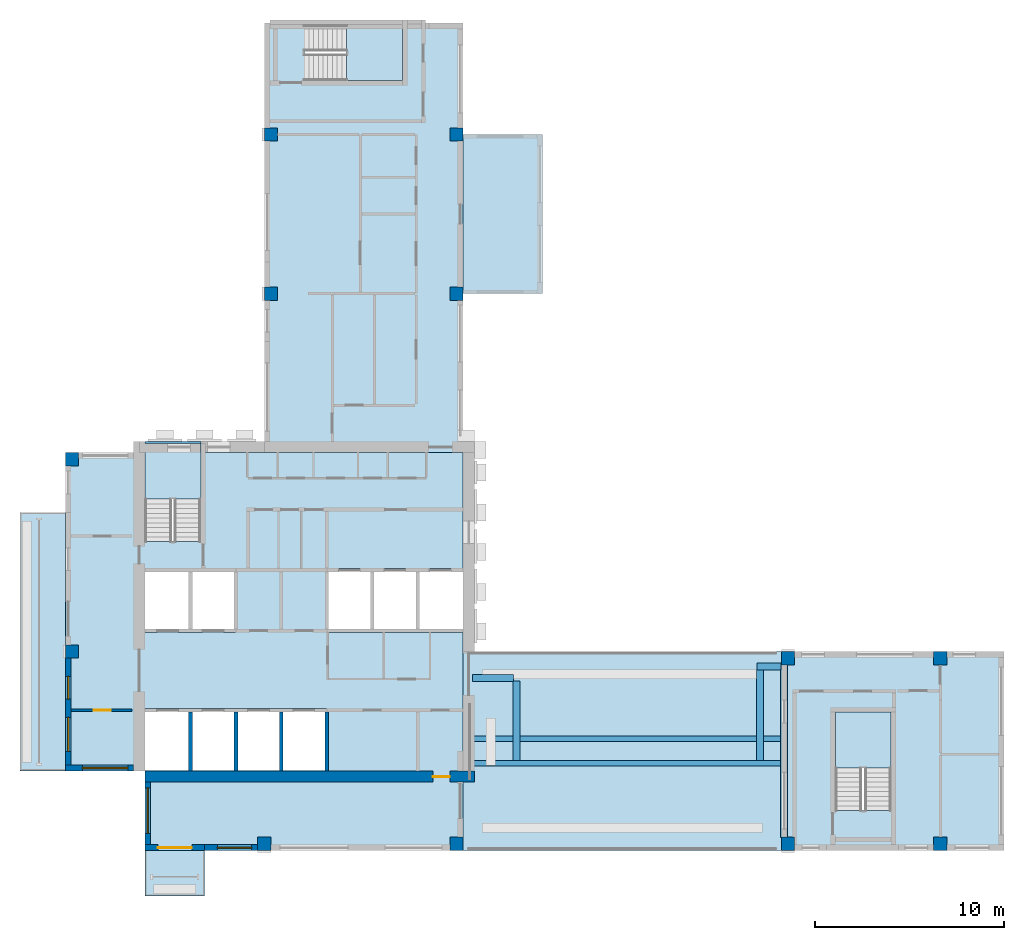
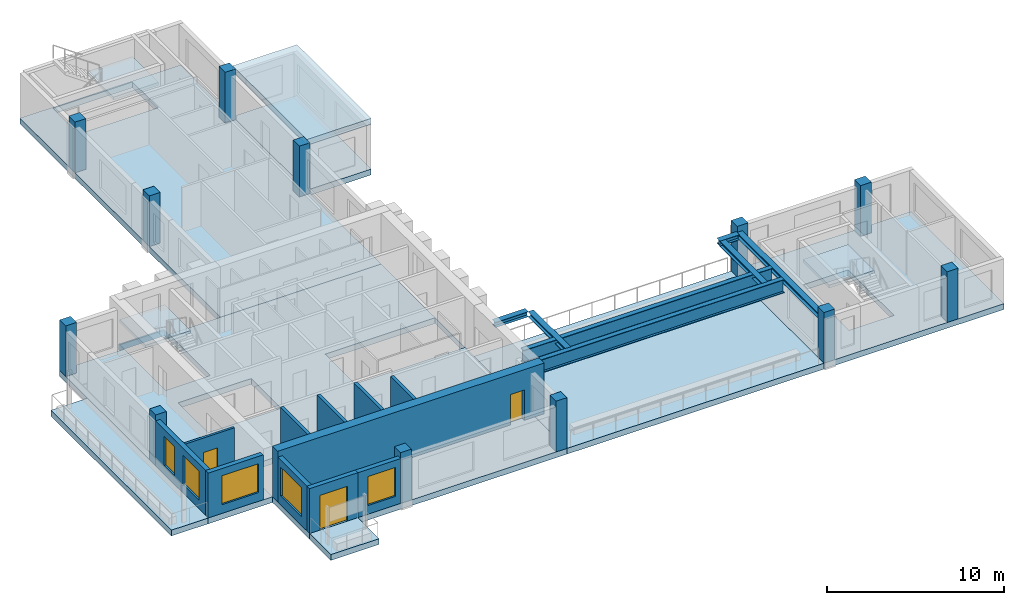
# One storey, part 1 of 10: 12 columns, 12 slabs, 11 walls, 7 beams, 5 windows, 3 doors, 8 openings, 3 elements without a shape of their own.
"""IFC4 building model written with IfcOpenShell, lengths in metres."""

from ifc_helpers import new_model, si_unit, direction, frame, frame_2d, origin, origin_2d, place, context, subcontext, project, spatial, polyline, rectangle, i_section, outline, extrude, source, transform, mapped, material, layer, layer_set, material_profile, profile_set, type_object, element, fill, aggregate, save


model = new_model("IFC4")

# Units and contexts
model_context = context("Model", 3, precision=1e-05, world=origin(), true_north=direction((0.0, 1.0)))
body_context = subcontext(model_context, "Body", "Model", "MODEL_VIEW")
ifc_project = project(units=[si_unit("LENGTHUNIT", "METRE"), si_unit("AREAUNIT", "SQUARE_METRE"), si_unit("VOLUMEUNIT", "CUBIC_METRE"), si_unit("PLANEANGLEUNIT", "RADIAN"), si_unit("MASSUNIT", "GRAM", prefix="KILO")], contexts=[model_context])

# Site, building, storey
site_placement = place(None, origin())
site = spatial("IfcSite", under=ifc_project, at=site_placement, CompositionType="ELEMENT")
building_placement = place(site_placement, origin())
building = spatial("IfcBuilding", under=site, at=building_placement, Name="Aurelian Terraces", CompositionType="ELEMENT")
storey_placement = place(building_placement, frame((0.0, 0.0, 291.5)))
storey = spatial("IfcBuildingStorey", under=building, at=storey_placement, Name="L66", CompositionType="ELEMENT", Elevation=291.5)

# Columns
ifc_material_1 = material(Name="Concrete fc' 55 MPa", Category="concrete")
ifc_material_profile_1 = material_profile(ifc_material_1, rectangle(XDim=0.7, YDim=0.7, at=origin_2d()))
ifc_profile_set_1 = profile_set([ifc_material_profile_1], Name="Concrete fc' 55 MPa")
column_type = type_object("IfcColumnType", Name="RC COLUMN 700X700 FC55", PredefinedType="COLUMN", material=ifc_profile_set_1)
shared_shape_1 = source(origin(), body_context, "Body", "SweptSolid", [
    extrude(rectangle(XDim=0.7, YDim=0.7, at=origin_2d()), origin(), (0.0, 0.0, 1.0), 3.5),
])
for number, where, z_axis, x_axis, name in (
    (1, (10.5, 0.35, 0.0), (0.0, 0.0, 1.0), (1.0, 0.0, 0.0), "Column 2/A L66"),
    (2, (20.65, 0.35, 0.0), (0.0, 0.0, 1.0), (1.0, 0.0, 0.0), "Column 3/A L66"),
    (3, (38.15, 0.35, 0.0), (0.0, 0.0, 1.0), (1.0, 0.0, 0.0), "Column 5/A L66"),
    (4, (46.2, 0.35, 0.0), (0.0, 0.0, 1.0), (1.0, 0.0, 0.0), "Column 6/A L66"),
    (5, (0.35, 10.5, 0.0), (0.0, 0.0, 1.0), (1.0, 0.0, 0.0), "Column 1/B L66"),
    (6, (38.15, 10.15, 0.0), (0.0, 0.0, 1.0), (1.0, 0.0, 0.0), "Column 5/B L66"),
    (7, (46.2, 10.15, 0.0), (0.0, 0.0, 1.0), (1.0, 0.0, 0.0), "Column 6/B L66"),
    (8, (0.35, 20.65, 0.0), (0.0, 0.0, 1.0), (1.0, 0.0, 0.0), "Column 1/C L66"),
    (9, (10.85, 29.4, 0.0), (0.0, 0.0, 1.0), (1.0, 0.0, 0.0), "Column 2/D L66"),
    (10, (20.65, 29.4, 0.0), (0.0, 0.0, 1.0), (1.0, 0.0, 0.0), "Column 3/D L66"),
    (11, (10.85, 37.8, 0.0), (0.0, 0.0, 1.0), (1.0, 0.0, 0.0), "Column 2/E L66"),
    (12, (20.65, 37.8, 0.0), (0.0, 0.0, 1.0), (1.0, 0.0, 0.0), "Column 3/E L66"),
):
    element("IfcColumn", number, at=place(storey_placement, frame(where, z_axis=z_axis, x_axis=x_axis)), inside=storey, type_object=column_type, Name=name, PredefinedType="COLUMN", context=body_context, shape_type="MappedRepresentation", body=[
        mapped(shared_shape_1, transform((0.0, 0.0, 0.0), scale=1.0)),
    ])

# Beams
ifc_material_2 = material(Name="Steel ASTM A992 Gr50", Category="steel")
ifc_material_profile_2 = material_profile(ifc_material_2, i_section(OverallWidth=0.3077, OverallDepth=0.9268, WebThickness=0.0194, FlangeThickness=0.032, at=origin_2d()))
ifc_profile_set_2 = profile_set([ifc_material_profile_2], Name="Steel ASTM A992 Gr50")
beam_type_1 = type_object("IfcBeamType", Name="PC903 PORTAL CHORD W36X194", PredefinedType="BEAM", material=ifc_profile_set_2)
beam_1_placement = place(storey_placement, frame((21.5, 4.6039, 2.6364), z_axis=(1.0, 0.0, 0.0), x_axis=(0.0, 1.0, 0.0)))
element("IfcBeam", 13, at=beam_1_placement, inside=storey, type_object=beam_type_1, Name="Link girder south L67", PredefinedType="BEAM", context=body_context, shape_type="SweptSolid", body=[
    extrude(i_section(OverallWidth=0.3077, OverallDepth=0.9268, WebThickness=0.0194, FlangeThickness=0.032, at=origin_2d()), origin(), (0.0, 0.0, 1.0), 16.2856),
])
ifc_material_profile_3 = material_profile(ifc_material_2, i_section(OverallWidth=0.3688, OverallDepth=0.3561, WebThickness=0.0112, FlangeThickness=0.018, at=origin_2d()))
ifc_profile_set_3 = profile_set([ifc_material_profile_3], Name="Steel ASTM A992 Gr50")
beam_type_2 = type_object("IfcBeamType", Name="PC904 PORTAL CHORD W14X90", PredefinedType="BEAM", material=ifc_profile_set_3)
beam_2_placement = place(storey_placement, frame((37.95, 0.68, 2.9218), z_axis=(0.0, 1.0, 0.0), x_axis=(-1.0, 0.0, 0.0)))
element("IfcBeam", 14, at=beam_2_placement, inside=storey, type_object=beam_type_2, Name="Link edge beam L67", PredefinedType="BEAM", context=body_context, shape_type="SweptSolid", body=[
    extrude(i_section(OverallWidth=0.3688, OverallDepth=0.3561, WebThickness=0.0112, FlangeThickness=0.018, at=origin_2d()), origin(), (0.0, 0.0, 1.0), 9.14),
])
beam_3_placement = place(storey_placement, frame((23.8156, 4.7378, 2.9218), z_axis=(0.0, 1.0, 0.0), x_axis=(-1.0, 0.0, 0.0)))
element("IfcBeam", 15, at=beam_3_placement, inside=storey, type_object=beam_type_2, Name="Link leg beam L67", PredefinedType="BEAM", context=body_context, shape_type="SweptSolid", body=[
    extrude(i_section(OverallWidth=0.3688, OverallDepth=0.3561, WebThickness=0.0112, FlangeThickness=0.018, at=origin_2d()), origin(), (0.0, 0.0, 1.0), 4.2134),
])
beam_4_placement = place(storey_placement, frame((21.5, 9.1156, 2.9218), z_axis=(1.0, 0.0, 0.0), x_axis=(0.0, 1.0, 0.0)))
element("IfcBeam", 16, at=beam_4_placement, inside=storey, type_object=beam_type_2, Name="Link leg cross beam L67", PredefinedType="BEAM", context=body_context, shape_type="SweptSolid", body=[
    extrude(i_section(OverallWidth=0.3688, OverallDepth=0.3561, WebThickness=0.0112, FlangeThickness=0.018, at=origin_2d()), origin(), (0.0, 0.0, 1.0), 2.1512),
])
beam_5_placement = place(storey_placement, frame((36.6844, 4.7378, 2.9218), z_axis=(0.0, 1.0, 0.0), x_axis=(-1.0, 0.0, 0.0)))
element("IfcBeam", 17, at=beam_5_placement, inside=storey, type_object=beam_type_2, Name="Link pod leg beam L67", PredefinedType="BEAM", context=body_context, shape_type="SweptSolid", body=[
    extrude(i_section(OverallWidth=0.3688, OverallDepth=0.3561, WebThickness=0.0112, FlangeThickness=0.018, at=origin_2d()), origin(), (0.0, 0.0, 1.0), 4.8134),
])
beam_6_placement = place(storey_placement, frame((36.52, 9.7156, 2.9218), z_axis=(1.0, 0.0, 0.0), x_axis=(0.0, 1.0, 0.0)))
element("IfcBeam", 18, at=beam_6_placement, inside=storey, type_object=beam_type_2, Name="Link pod leg cross beam L67", PredefinedType="BEAM", context=body_context, shape_type="SweptSolid", body=[
    extrude(i_section(OverallWidth=0.3688, OverallDepth=0.3561, WebThickness=0.0112, FlangeThickness=0.018, at=origin_2d()), origin(), (0.0, 0.0, 1.0), 1.2656),
])
shared_shape_2 = source(origin(), body_context, "Body", "SweptSolid", [
    extrude(i_section(OverallWidth=0.3077, OverallDepth=0.9268, WebThickness=0.0194, FlangeThickness=0.032, at=origin_2d()), origin(), (0.0, 0.0, 1.0), 16.2856),
])
beam_7_placement = place(storey_placement, frame((21.5, 5.8961, 2.6364), z_axis=(1.0, 0.0, 0.0), x_axis=(0.0, 1.0, 0.0)))
element("IfcBeam", 19, at=beam_7_placement, inside=storey, type_object=beam_type_1, Name="Link girder north L67", PredefinedType="BEAM", context=body_context, shape_type="MappedRepresentation", body=[
    mapped(shared_shape_2, transform((0.0, 0.0, 0.0), scale=1.0)),
])

# Slabs
ifc_material_3 = material(Name="Concrete fc' 40 MPa", Category="concrete")
ifc_layer_1 = layer(ifc_material_3, 0.4)
ifc_layer_set_1 = layer_set([ifc_layer_1], Name="PT FLAT PLATE 400")
slab_type_1 = type_object("IfcSlabType", Name="PT FLAT PLATE 400", PredefinedType="FLOOR", material=ifc_layer_set_1)
slab_1_placement = place(storey_placement, frame((0.0, 0.0, -0.4)))
element("IfcSlab", 20, at=slab_1_placement, inside=storey, type_object=slab_type_1, Name="Floor slab S L66", PredefinedType="FLOOR", context=body_context, shape_type="SweptSolid", body=[
    extrude(outline(polyline([(4.2, 4.2), (0.0, 4.2), (0.0, 10.5), (0.0, 21.0), (4.21, 21.0), (4.21, 16.31), (7.14, 16.31), (7.14, 21.0), (21.0, 21.0), (21.0, 10.5), (21.0, 0.0), (4.2, 0.0), (4.2, 4.2)]), holes=[polyline([(13.81, 14.89), (13.81, 11.51), (20.99, 11.51), (20.99, 14.89), (13.81, 14.89)]), polyline([(4.21, 7.49), (4.21, 4.21), (13.79, 4.21), (13.79, 7.49), (4.21, 7.49)]), polyline([(8.99, 11.51), (8.99, 14.89), (4.21, 14.89), (4.21, 11.51), (8.99, 11.51)])]), origin(), (0.0, 0.0, 1.0), 0.4),
])
slab_2_placement = place(storey_placement, frame((0.0, 0.0, -0.4)))
element("IfcSlab", 21, at=slab_2_placement, inside=storey, type_object=slab_type_1, Name="Floor slab S2 L66", PredefinedType="FLOOR", context=body_context, shape_type="SweptSolid", body=[
    extrude(outline(polyline([(37.8, 10.5), (49.56, 10.5), (49.56, 6.3), (49.56, 4.2), (49.56, 0.0), (37.8, 0.0), (37.8, 10.5)]), holes=[polyline([(40.66, 2.11), (43.59, 2.11), (43.59, 7.29), (40.66, 7.29), (40.66, 2.11)])]), origin(), (0.0, 0.0, 1.0), 0.4),
])
ifc_layer_2 = layer(ifc_material_3, 0.4001)
ifc_layer_set_2 = layer_set([ifc_layer_2], Name="Terrace slab 400")
slab_type_2 = type_object("IfcSlabType", Name="Terrace slab 400", PredefinedType="NOTDEFINED", material=ifc_layer_set_2)
slab_3_placement = place(storey_placement, frame((0.0, 0.0, -0.4001)))
element("IfcSlab", 22, at=slab_3_placement, inside=storey, type_object=slab_type_2, Name="Sky terrace L66 BLADE-S-T1", PredefinedType="NOTDEFINED", context=body_context, shape_type="SweptSolid", body=[
    extrude(outline(polyline([(21.0, 0.0), (21.0, 10.5), (37.8, 10.5), (37.8, 0.0), (21.0, 0.0)])), origin(), (0.0, 0.0, 1.0), 0.4001),
])
shared_shape_3 = source(origin(), body_context, "Body", "SweptSolid", [
    extrude(outline(polyline([(10.5, 43.68), (14.7, 43.68), (16.8, 43.68), (21.0, 43.68), (21.0, 21.0), (10.5, 21.0), (10.5, 43.68)]), holes=[polyline([(17.79, 43.59), (12.61, 43.59), (12.61, 40.66), (17.79, 40.66), (17.79, 43.59)])]), origin(), (0.0, 0.0, 1.0), 0.4),
])
slab_4_placement = place(storey_placement, frame((0.0, 0.0, -0.4)))
element("IfcSlab", 23, at=slab_4_placement, inside=storey, type_object=slab_type_1, Name="Floor slab W L66", PredefinedType="FLOOR", context=body_context, shape_type="MappedRepresentation", body=[
    mapped(shared_shape_3, transform((0.0, 0.0, 0.0), scale=1.0)),
])
shared_shape_4 = source(origin(), body_context, "Body", "SweptSolid", [
    extrude(outline(polyline([(4.2, 21.0), (4.2, 21.6), (7.15, 21.6), (7.15, 21.0), (7.14, 21.0), (7.14, 21.49), (4.21, 21.49), (4.21, 21.0), (4.2, 21.0)])), origin(), (0.0, 0.0, 1.0), 0.4),
])
slab_5_placement = place(storey_placement, frame((0.0, 0.0, -0.4)))
element("IfcSlab", 24, at=slab_5_placement, inside=storey, type_object=slab_type_1, Name="Floor slab W2 L66", PredefinedType="FLOOR", context=body_context, shape_type="MappedRepresentation", body=[
    mapped(shared_shape_4, transform((0.0, 0.0, 0.0), scale=1.0)),
])
ifc_layer_3 = layer(ifc_material_3, 0.41)
ifc_layer_set_3 = layer_set([ifc_layer_3], Name="Box floor 410")
slab_type_3 = type_object("IfcSlabType", Name="Box floor 410", PredefinedType="NOTDEFINED", material=ifc_layer_set_3)
shared_shape_5 = source(origin(), body_context, "Body", "SweptSolid", [
    extrude(outline(polyline([(25.2, 29.4), (25.2, 37.8), (21.0, 37.8), (21.0, 29.4), (25.2, 29.4)])), origin(), (0.0, 0.0, 1.0), 0.41),
])
slab_6_placement = place(storey_placement, frame((0.0, 0.0, -0.41)))
element("IfcSlab", 25, at=slab_6_placement, inside=storey, type_object=slab_type_3, Name="Box floor L66 J89", PredefinedType="NOTDEFINED", context=body_context, shape_type="MappedRepresentation", body=[
    mapped(shared_shape_5, transform((0.0, 0.0, 0.0), scale=1.0)),
])
ifc_layer_4 = layer(ifc_material_3, 0.4)
ifc_layer_set_4 = layer_set([ifc_layer_4], Name="Box roof 400")
slab_type_4 = type_object("IfcSlabType", Name="Box roof 400", PredefinedType="ROOF", material=ifc_layer_set_4)
shared_shape_6 = source(origin(), body_context, "Body", "SweptSolid", [
    extrude(outline(polyline([(25.2, 29.4), (25.2, 37.8), (21.0, 37.8), (21.0, 29.4), (25.2, 29.4)])), origin(), (0.0, 0.0, 1.0), 0.4),
])
slab_7_placement = place(storey_placement, frame((0.0, 0.0, 3.1)))
element("IfcSlab", 26, at=slab_7_placement, inside=storey, type_object=slab_type_4, Name="Box roof J89", PredefinedType="ROOF", context=body_context, shape_type="MappedRepresentation", body=[
    mapped(shared_shape_6, transform((0.0, 0.0, 0.0), scale=1.0)),
])
ifc_layer_5 = layer(ifc_material_3, 0.4)
ifc_layer_set_5 = layer_set([ifc_layer_5], Name="Balcony slab 400")
slab_type_5 = type_object("IfcSlabType", Name="Balcony slab 400", PredefinedType="NOTDEFINED", material=ifc_layer_set_5)
shared_shape_7 = source(origin(), body_context, "Body", "SweptSolid", [
    extrude(outline(polyline([(0.0, 17.85), (0.0, 4.2), (-2.4, 4.2), (-2.4, 17.85), (0.0, 17.85)])), origin(), (0.0, 0.0, 1.0), 0.4),
])
slab_8_placement = place(storey_placement, frame((0.0, 0.0, -0.4)))
element("IfcSlab", 27, at=slab_8_placement, inside=storey, type_object=slab_type_5, Name="Balcony slab L66 F10.20", PredefinedType="NOTDEFINED", context=body_context, shape_type="MappedRepresentation", body=[
    mapped(shared_shape_7, transform((0.0, 0.0, 0.0), scale=1.0)),
])
shared_shape_8 = source(origin(), body_context, "Body", "SweptSolid", [
    extrude(outline(polyline([(4.2, 0.0), (7.35, 0.0), (7.35, -2.4), (4.2, -2.4), (4.2, 0.0)])), origin(), (0.0, 0.0, 1.0), 0.4),
])
slab_9_placement = place(storey_placement, frame((0.0, 0.0, -0.4)))
element("IfcSlab", 28, at=slab_9_placement, inside=storey, type_object=slab_type_5, Name="Balcony slab L66 F01.1", PredefinedType="NOTDEFINED", context=body_context, shape_type="MappedRepresentation", body=[
    mapped(shared_shape_8, transform((0.0, 0.0, 0.0), scale=1.0)),
])

# Stair, slab
stair_type = type_object("IfcStairType", Name="Stair 1400", PredefinedType="HALF_TURN_STAIR", material=ifc_material_3)
stair_1_placement = place(storey_placement, origin())
stair_1 = element("IfcStair", 29, at=stair_1_placement, inside=storey, type_object=stair_type, Name="L66 S1", PredefinedType="HALF_TURN_STAIR")
ifc_layer_6 = layer(ifc_material_3, 0.2)
ifc_layer_set_6 = layer_set([ifc_layer_6], Name="Stair landing 200")
slab_type_6 = type_object("IfcSlabType", Name="Stair landing 200", PredefinedType="LANDING", material=ifc_layer_set_6)
shared_shape_9 = source(origin(), body_context, "Body", "SweptSolid", [
    extrude(outline(polyline([(7.15, 18.55), (7.15, 21.5), (4.2, 21.5), (4.2, 18.55), (7.15, 18.55)])), origin(), (0.0, 0.0, 1.0), 0.2),
])
slab_10_placement = place(storey_placement, frame((0.0, 0.0, 1.55)))
slab_10 = element("IfcSlab", 30, at=slab_10_placement, type_object=slab_type_6, Name="S1 landing 1", PredefinedType="LANDING", context=body_context, shape_type="MappedRepresentation", body=[
    mapped(shared_shape_9, transform((0.0, 0.0, 0.0), scale=1.0)),
])
aggregate(stair_1, [slab_10])

stair_2_placement = place(storey_placement, origin())
stair_2 = element("IfcStair", 31, at=stair_2_placement, inside=storey, type_object=stair_type, Name="L66 S2", PredefinedType="HALF_TURN_STAIR")
shared_shape_10 = source(origin(), body_context, "Body", "SweptSolid", [
    extrude(outline(polyline([(43.6, 4.35), (43.6, 7.3), (40.65, 7.3), (40.65, 4.35), (43.6, 4.35)])), origin(), (0.0, 0.0, 1.0), 0.2),
])
slab_11_placement = place(storey_placement, frame((0.0, 0.0, 1.55)))
slab_11 = element("IfcSlab", 32, at=slab_11_placement, type_object=slab_type_6, Name="S2 landing 1", PredefinedType="LANDING", context=body_context, shape_type="MappedRepresentation", body=[
    mapped(shared_shape_10, transform((0.0, 0.0, 0.0), scale=1.0)),
])
aggregate(stair_2, [slab_11])

stair_3_placement = place(storey_placement, origin())
stair_3 = element("IfcStair", 33, at=stair_3_placement, inside=storey, type_object=stair_type, Name="L66 S3U", PredefinedType="HALF_TURN_STAIR")
shared_shape_11 = source(origin(), body_context, "Body", "SweptSolid", [
    extrude(outline(polyline([(14.85, 40.65), (17.8, 40.65), (17.8, 43.6), (14.85, 43.6), (14.85, 40.65)])), origin(), (0.0, 0.0, 1.0), 0.2),
])
slab_12_placement = place(storey_placement, frame((0.0, 0.0, 1.55)))
slab_12 = element("IfcSlab", 34, at=slab_12_placement, type_object=slab_type_6, Name="S3U landing 1", PredefinedType="LANDING", context=body_context, shape_type="MappedRepresentation", body=[
    mapped(shared_shape_11, transform((0.0, 0.0, 0.0), scale=1.0)),
])
aggregate(stair_3, [slab_12])

# Wall, opening, door
ifc_layer_7 = layer(ifc_material_1, 0.6)
ifc_layer_set_7 = layer_set([ifc_layer_7], Name="CORE WALL 600 FC55")
wall_type_1 = type_object("IfcWallType", Name="CORE WALL 600 FC55", PredefinedType="SHEAR", material=ifc_layer_set_7)
shared_shape_12 = source(origin(), body_context, "Body", "SweptSolid", [
    extrude(rectangle(XDim=17.4, YDim=0.6, at=frame_2d((8.7, 0.0))), origin(), (0.0, 0.0, 1.0), 3.5),
])
wall_1_placement = place(storey_placement, frame((4.2, 3.9, 0.0), z_axis=(0.0, 0.0, 1.0), x_axis=(1.0, 0.0, 0.0)))
wall_1 = element("IfcWall", 35, at=wall_1_placement, inside=storey, type_object=wall_type_1, Name="Core wall S L66", PredefinedType="SHEAR", context=body_context, shape_type="MappedRepresentation", body=[
    mapped(shared_shape_12, transform((0.0, 0.0, 0.0), scale=1.0)),
])
shared_shape_13 = source(origin(), body_context, "Body", "SweptSolid", [
    extrude(rectangle(XDim=0.9, YDim=2.1, at=frame_2d((0.45, 1.05))), frame((0.0, 0.31, 0.0), z_axis=(0.0, -1.0, 0.0), x_axis=(1.0, 0.0, 0.0)), (0.0, 0.0, 1.0), 0.62),
])
opening_1_placement = place(wall_1_placement, frame((15.2, 0.0, 0.0)))
opening_1 = element("IfcOpeningElement", 36, at=opening_1_placement, cuts=wall_1, Name="Opening 66934", PredefinedType="OPENING", context=body_context, shape_type="MappedRepresentation", body=[
    mapped(shared_shape_13, transform((0.0, 0.0, 0.0), scale=1.0)),
])
ifc_material_4 = material(Name="Steel door leaf", Category="steel")
door_type_1 = type_object("IfcDoorType", Name="Core service door 900x2100", OperationType="SINGLE_SWING_LEFT", PredefinedType="DOOR", material=ifc_material_4)
shared_shape_14 = source(origin(), body_context, "Body", "SweptSolid", [
    extrude(rectangle(XDim=0.9, YDim=2.1, at=frame_2d((0.45, 1.05))), frame((0.0, 0.025, 0.0), z_axis=(0.0, -1.0, 0.0), x_axis=(1.0, 0.0, 0.0)), (0.0, 0.0, 1.0), 0.05),
])
door_1_placement = place(opening_1_placement, origin())
door_1 = element("IfcDoor", 37, at=door_1_placement, inside=storey, type_object=door_type_1, Name="Core door 66934", OperationType="SINGLE_SWING_LEFT", OverallHeight=2.1, OverallWidth=0.9, PredefinedType="DOOR", context=body_context, shape_type="MappedRepresentation", body=[
    mapped(shared_shape_14, transform((0.0, 0.0, 0.0), scale=1.0)),
])
fill(opening_1, door_1)

# Wall, opening, window
ifc_material_5 = material(Name="Terracotta rainscreen cladding", Category="masonry")
ifc_layer_8 = layer(ifc_material_5, 0.3)
ifc_layer_set_8 = layer_set([ifc_layer_8], Name="EW-300")
wall_type_2 = type_object("IfcWallType", Name="EW-300", PredefinedType="STANDARD", material=ifc_layer_set_8)
shared_shape_15 = source(origin(), body_context, "Body", "SweptSolid", [
    extrude(rectangle(XDim=3.6, YDim=0.3, at=frame_2d((1.8, 0.0))), origin(), (0.0, 0.0, 1.0), 3.1),
])
wall_2_placement = place(storey_placement, frame((0.0, 4.35, 0.0), z_axis=(0.0, 0.0, 1.0), x_axis=(1.0, 0.0, 0.0)))
wall_2 = element("IfcWall", 38, at=wall_2_placement, inside=storey, type_object=wall_type_2, Name="External wall L66 F11.21", PredefinedType="STANDARD", context=body_context, shape_type="MappedRepresentation", body=[
    mapped(shared_shape_15, transform((0.0, 0.0, 0.0), scale=1.0)),
])
shared_shape_16 = source(origin(), body_context, "Body", "SweptSolid", [
    extrude(rectangle(XDim=2.4, YDim=2.0, at=frame_2d((1.2, 1.0))), frame((0.0, 0.16, 0.0), z_axis=(0.0, -1.0, 0.0), x_axis=(1.0, 0.0, 0.0)), (0.0, 0.0, 1.0), 0.32),
])
opening_2_placement = place(wall_2_placement, frame((0.9, 0.0, 0.6)))
opening_2 = element("IfcOpeningElement", 39, at=opening_2_placement, cuts=wall_2, Name="Opening W2420", PredefinedType="OPENING", context=body_context, shape_type="MappedRepresentation", body=[
    mapped(shared_shape_16, transform((0.0, 0.0, 0.0), scale=1.0)),
])
ifc_material_6 = material(Name="Clear glazing", Category="glass")
window_type_1 = type_object("IfcWindowType", Name="W-2400x2000", PartitioningType="SINGLE_PANEL", PredefinedType="WINDOW", material=ifc_material_6)
shared_shape_17 = source(origin(), body_context, "Body", "SweptSolid", [
    extrude(rectangle(XDim=2.4, YDim=2.0, at=frame_2d((1.2, 1.0))), frame((0.0, 0.03, 0.0), z_axis=(0.0, -1.0, 0.0), x_axis=(1.0, 0.0, 0.0)), (0.0, 0.0, 1.0), 0.06),
])
window_1_placement = place(opening_2_placement, origin())
window_1 = element("IfcWindow", 40, at=window_1_placement, inside=storey, type_object=window_type_1, Name="Window L66 L66-F11-21-0", OverallHeight=2.0, OverallWidth=2.4, PartitioningType="SINGLE_PANEL", PredefinedType="WINDOW", context=body_context, shape_type="MappedRepresentation", body=[
    mapped(shared_shape_17, transform((0.0, 0.0, 0.0), scale=1.0)),
])
fill(opening_2, window_1)

wall_3_placement = place(storey_placement, frame((4.35, 3.6, 0.0), z_axis=(0.0, 0.0, 1.0), x_axis=(0.0, -1.0, 0.0)))
wall_3 = element("IfcWall", 41, at=wall_3_placement, inside=storey, type_object=wall_type_2, Name="External wall L66 F12.22", PredefinedType="STANDARD", context=body_context, shape_type="MappedRepresentation", body=[
    mapped(shared_shape_15, transform((0.0, 0.0, 0.0), scale=1.0)),
])
opening_3_placement = place(wall_3_placement, frame((0.3, 0.0, 0.6)))
opening_3 = element("IfcOpeningElement", 42, at=opening_3_placement, cuts=wall_3, Name="Opening W2420", PredefinedType="OPENING", context=body_context, shape_type="MappedRepresentation", body=[
    mapped(shared_shape_16, transform((0.0, 0.0, 0.0), scale=1.0)),
])
window_2_placement = place(opening_3_placement, origin())
window_2 = element("IfcWindow", 43, at=window_2_placement, inside=storey, type_object=window_type_1, Name="Window L66 L66-F12-22-0", OverallHeight=2.0, OverallWidth=2.4, PartitioningType="SINGLE_PANEL", PredefinedType="WINDOW", context=body_context, shape_type="MappedRepresentation", body=[
    mapped(shared_shape_17, transform((0.0, 0.0, 0.0), scale=1.0)),
])
fill(opening_3, window_2)

# Wall, openings, windows
shared_shape_18 = source(origin(), body_context, "Body", "SweptSolid", [
    extrude(rectangle(XDim=5.95, YDim=0.3, at=frame_2d((2.975, 0.0))), origin(), (0.0, 0.0, 1.0), 3.1),
])
wall_4_placement = place(storey_placement, frame((0.15, 10.15, 0.0), z_axis=(0.0, 0.0, 1.0), x_axis=(0.0, -1.0, 0.0)))
wall_4 = element("IfcWall", 44, at=wall_4_placement, inside=storey, type_object=wall_type_2, Name="External wall L66 F10.20", PredefinedType="STANDARD", context=body_context, shape_type="MappedRepresentation", body=[
    mapped(shared_shape_18, transform((0.0, 0.0, 0.0), scale=1.0)),
])
shared_shape_19 = source(origin(), body_context, "Body", "SweptSolid", [
    extrude(rectangle(XDim=1.8, YDim=2.0, at=frame_2d((0.9, 1.0))), frame((0.0, 0.16, 0.0), z_axis=(0.0, -1.0, 0.0), x_axis=(1.0, 0.0, 0.0)), (0.0, 0.0, 1.0), 0.32),
])
opening_4_placement = place(wall_4_placement, frame((3.125, 0.0, 0.6)))
opening_4 = element("IfcOpeningElement", 45, at=opening_4_placement, cuts=wall_4, Name="Opening W1820", PredefinedType="OPENING", context=body_context, shape_type="MappedRepresentation", body=[
    mapped(shared_shape_19, transform((0.0, 0.0, 0.0), scale=1.0)),
])
shared_shape_20 = source(origin(), body_context, "Body", "SweptSolid", [
    extrude(rectangle(XDim=1.2, YDim=2.0, at=frame_2d((0.6, 1.0))), frame((0.0, 0.16, 0.0), z_axis=(0.0, -1.0, 0.0), x_axis=(1.0, 0.0, 0.0)), (0.0, 0.0, 1.0), 0.32),
])
opening_5_placement = place(wall_4_placement, frame((0.9625, 0.0, 0.6)))
opening_5 = element("IfcOpeningElement", 46, at=opening_5_placement, cuts=wall_4, Name="Opening W1220", PredefinedType="OPENING", context=body_context, shape_type="MappedRepresentation", body=[
    mapped(shared_shape_20, transform((0.0, 0.0, 0.0), scale=1.0)),
])
window_type_2 = type_object("IfcWindowType", Name="W-1200x2000", PartitioningType="SINGLE_PANEL", PredefinedType="WINDOW", material=ifc_material_6)
shared_shape_21 = source(origin(), body_context, "Body", "SweptSolid", [
    extrude(rectangle(XDim=1.2, YDim=2.0, at=frame_2d((0.6, 1.0))), frame((0.0, 0.03, 0.0), z_axis=(0.0, -1.0, 0.0), x_axis=(1.0, 0.0, 0.0)), (0.0, 0.0, 1.0), 0.06),
])
window_3_placement = place(opening_5_placement, origin())
window_3 = element("IfcWindow", 47, at=window_3_placement, inside=storey, type_object=window_type_2, Name="Window L66 L66-F10-20-G1-77", OverallHeight=2.0, OverallWidth=1.2, PartitioningType="SINGLE_PANEL", PredefinedType="WINDOW", context=body_context, shape_type="MappedRepresentation", body=[
    mapped(shared_shape_21, transform((0.0, 0.0, 0.0), scale=1.0)),
])
fill(opening_5, window_3)
window_type_3 = type_object("IfcWindowType", Name="W-1800x2000", PartitioningType="SINGLE_PANEL", PredefinedType="WINDOW", material=ifc_material_6)
shared_shape_22 = source(origin(), body_context, "Body", "SweptSolid", [
    extrude(rectangle(XDim=1.8, YDim=2.0, at=frame_2d((0.9, 1.0))), frame((0.0, 0.03, 0.0), z_axis=(0.0, -1.0, 0.0), x_axis=(1.0, 0.0, 0.0)), (0.0, 0.0, 1.0), 0.06),
])
window_4_placement = place(opening_4_placement, origin())
window_4 = element("IfcWindow", 48, at=window_4_placement, inside=storey, type_object=window_type_3, Name="Window L66 L66-F10-20-2", OverallHeight=2.0, OverallWidth=1.8, PartitioningType="SINGLE_PANEL", PredefinedType="WINDOW", context=body_context, shape_type="MappedRepresentation", body=[
    mapped(shared_shape_22, transform((0.0, 0.0, 0.0), scale=1.0)),
])
fill(opening_4, window_4)

# Wall, opening, door
shared_shape_23 = source(origin(), body_context, "Body", "SweptSolid", [
    extrude(rectangle(XDim=3.15, YDim=0.3, at=frame_2d((1.575, 0.0))), origin(), (0.0, 0.0, 1.0), 3.1),
])
wall_5_placement = place(storey_placement, frame((4.2, 0.15, 0.0), z_axis=(0.0, 0.0, 1.0), x_axis=(1.0, 0.0, 0.0)))
wall_5 = element("IfcWall", 49, at=wall_5_placement, inside=storey, type_object=wall_type_2, Name="External wall L66 F01.1", PredefinedType="STANDARD", context=body_context, shape_type="MappedRepresentation", body=[
    mapped(shared_shape_23, transform((0.0, 0.0, 0.0), scale=1.0)),
])
shared_shape_24 = source(origin(), body_context, "Body", "SweptSolid", [
    extrude(rectangle(XDim=1.8, YDim=2.4, at=frame_2d((0.9, 1.2))), frame((0.0, 0.16, 0.0), z_axis=(0.0, -1.0, 0.0), x_axis=(1.0, 0.0, 0.0)), (0.0, 0.0, 1.0), 0.32),
])
opening_6_placement = place(wall_5_placement, frame((0.675, 0.0, 0.0)))
opening_6 = element("IfcOpeningElement", 50, at=opening_6_placement, cuts=wall_5, Name="Opening 86601", PredefinedType="OPENING", context=body_context, shape_type="MappedRepresentation", body=[
    mapped(shared_shape_24, transform((0.0, 0.0, 0.0), scale=1.0)),
])
door_type_2 = type_object("IfcDoorType", Name="BD-1800x2400", OperationType="SLIDING_TO_LEFT", PredefinedType="DOOR", material=ifc_material_6)
shared_shape_25 = source(origin(), body_context, "Body", "SweptSolid", [
    extrude(rectangle(XDim=1.8, YDim=2.4, at=frame_2d((0.9, 1.2))), frame((0.0, 0.025, 0.0), z_axis=(0.0, -1.0, 0.0), x_axis=(1.0, 0.0, 0.0)), (0.0, 0.0, 1.0), 0.05),
])
door_2_placement = place(opening_6_placement, origin())
door_2 = element("IfcDoor", 51, at=door_2_placement, inside=storey, type_object=door_type_2, Name="Balcony door L66 F01.1", OperationType="SLIDING_TO_LEFT", OverallHeight=2.4, OverallWidth=1.8, PredefinedType="DOOR", context=body_context, shape_type="MappedRepresentation", body=[
    mapped(shared_shape_25, transform((0.0, 0.0, 0.0), scale=1.0)),
])
fill(opening_6, door_2)

# Wall, opening, window
shared_shape_26 = source(origin(), body_context, "Body", "SweptSolid", [
    extrude(rectangle(XDim=2.8, YDim=0.3, at=frame_2d((1.4, 0.0))), origin(), (0.0, 0.0, 1.0), 3.1),
])
wall_6_placement = place(storey_placement, frame((7.35, 0.15, 0.0), z_axis=(0.0, 0.0, 1.0), x_axis=(1.0, 0.0, 0.0)))
wall_6 = element("IfcWall", 52, at=wall_6_placement, inside=storey, type_object=wall_type_2, Name="External wall L66 F01.2", PredefinedType="STANDARD", context=body_context, shape_type="MappedRepresentation", body=[
    mapped(shared_shape_26, transform((0.0, 0.0, 0.0), scale=1.0)),
])
opening_7_placement = place(wall_6_placement, frame((0.675, 0.0, 0.6)))
opening_7 = element("IfcOpeningElement", 53, at=opening_7_placement, cuts=wall_6, Name="Opening W1820", PredefinedType="OPENING", context=body_context, shape_type="MappedRepresentation", body=[
    mapped(shared_shape_19, transform((0.0, 0.0, 0.0), scale=1.0)),
])
window_5_placement = place(opening_7_placement, origin())
window_5 = element("IfcWindow", 54, at=window_5_placement, inside=storey, type_object=window_type_3, Name="Window L66 L66-F01-02-0", OverallHeight=2.0, OverallWidth=1.8, PartitioningType="SINGLE_PANEL", PredefinedType="WINDOW", context=body_context, shape_type="MappedRepresentation", body=[
    mapped(shared_shape_22, transform((0.0, 0.0, 0.0), scale=1.0)),
])
fill(opening_7, window_5)

# Walls
ifc_layer_9 = layer(ifc_material_3, 0.2)
ifc_layer_set_9 = layer_set([ifc_layer_9], Name="Lift shaft wall 200")
wall_type_3 = type_object("IfcWallType", Name="Lift shaft wall 200", PredefinedType="SOLIDWALL", material=ifc_layer_set_9)
shared_shape_27 = source(origin(), body_context, "Body", "SweptSolid", [
    extrude(rectangle(XDim=3.1, YDim=0.2, at=frame_2d((1.55, 0.0))), origin(), (0.0, 0.0, 1.0), 3.5),
])
for number, where, z_axis, x_axis, name in (
    (55, (6.6, 4.2, 0.0), (0.0, 0.0, 1.0), (0.0, 1.0, 0.0), "L66 core wall CD-A1"),
    (56, (9.0, 4.2, 0.0), (0.0, 0.0, 1.0), (0.0, 1.0, 0.0), "L66 core wall CD-A2"),
    (57, (11.4, 4.2, 0.0), (0.0, 0.0, 1.0), (0.0, 1.0, 0.0), "L66 core wall CD-A3"),
):
    element("IfcWall", number, at=place(storey_placement, frame(where, z_axis=z_axis, x_axis=x_axis)), inside=storey, type_object=wall_type_3, Name=name, PredefinedType="SOLIDWALL", context=body_context, shape_type="MappedRepresentation", body=[
        mapped(shared_shape_27, transform((0.0, 0.0, 0.0), scale=1.0)),
    ])
shared_shape_28 = source(origin(), body_context, "Body", "SweptSolid", [
    extrude(rectangle(XDim=3.1, YDim=0.2, at=frame_2d((1.55, 0.0))), origin(), (0.0, 0.0, 1.0), 3.1),
])
wall_7_placement = place(storey_placement, frame((13.8, 4.2, 0.0), z_axis=(0.0, 0.0, 1.0), x_axis=(0.0, 1.0, 0.0)))
element("IfcWall", 58, at=wall_7_placement, inside=storey, type_object=wall_type_3, Name="L66 core wall CD-A4", PredefinedType="SOLIDWALL", context=body_context, shape_type="MappedRepresentation", body=[
    mapped(shared_shape_28, transform((0.0, 0.0, 0.0), scale=1.0)),
])

# Wall, opening, door
ifc_material_7 = material(Name="Gypsum board on steel studs", Category="steel")
ifc_layer_10 = layer(ifc_material_7, 0.15)
ifc_layer_set_10 = layer_set([ifc_layer_10], Name="Partition 150")
wall_type_4 = type_object("IfcWallType", Name="Partition 150", PredefinedType="PARTITIONING", material=ifc_layer_set_10)
shared_shape_29 = source(origin(), body_context, "Body", "SweptSolid", [
    extrude(rectangle(XDim=3.225, YDim=0.15, at=frame_2d((1.6125, 0.0))), origin(), (0.0, 0.0, 1.0), 3.1),
])
wall_8_placement = place(storey_placement, frame((0.3, 7.4, 0.0), z_axis=(0.0, 0.0, 1.0), x_axis=(1.0, 0.0, 0.0)))
wall_8 = element("IfcWall", 59, at=wall_8_placement, inside=storey, type_object=wall_type_4, Name="Partition", PredefinedType="PARTITIONING", context=body_context, shape_type="MappedRepresentation", body=[
    mapped(shared_shape_29, transform((0.0, 0.0, 0.0), scale=1.0)),
])
shared_shape_30 = source(origin(), body_context, "Body", "SweptSolid", [
    extrude(rectangle(XDim=0.9, YDim=2.1, at=frame_2d((0.45, 1.05))), frame((0.0, 0.085, 0.0), z_axis=(0.0, -1.0, 0.0), x_axis=(1.0, 0.0, 0.0)), (0.0, 0.0, 1.0), 0.17),
])
opening_8_placement = place(wall_8_placement, frame((1.2, 0.0, 0.0)))
opening_8 = element("IfcOpeningElement", 60, at=opening_8_placement, cuts=wall_8, Name="Opening 766005", PredefinedType="OPENING", context=body_context, shape_type="MappedRepresentation", body=[
    mapped(shared_shape_30, transform((0.0, 0.0, 0.0), scale=1.0)),
])
ifc_material_8 = material(Name="Timber door leaf", Category="wood")
door_type_3 = type_object("IfcDoorType", Name="Room door 900x2100 right", OperationType="SINGLE_SWING_RIGHT", PredefinedType="DOOR", material=ifc_material_8)
door_3_placement = place(opening_8_placement, origin())
door_3 = element("IfcDoor", 61, at=door_3_placement, inside=storey, type_object=door_type_3, Name="Door 766005", OperationType="SINGLE_SWING_RIGHT", OverallHeight=2.1, OverallWidth=0.9, PredefinedType="DOOR", context=body_context, shape_type="MappedRepresentation", body=[
    mapped(shared_shape_14, transform((0.0, 0.0, 0.0), scale=1.0)),
])
fill(opening_8, door_3)

save(model, "model.ifc")
